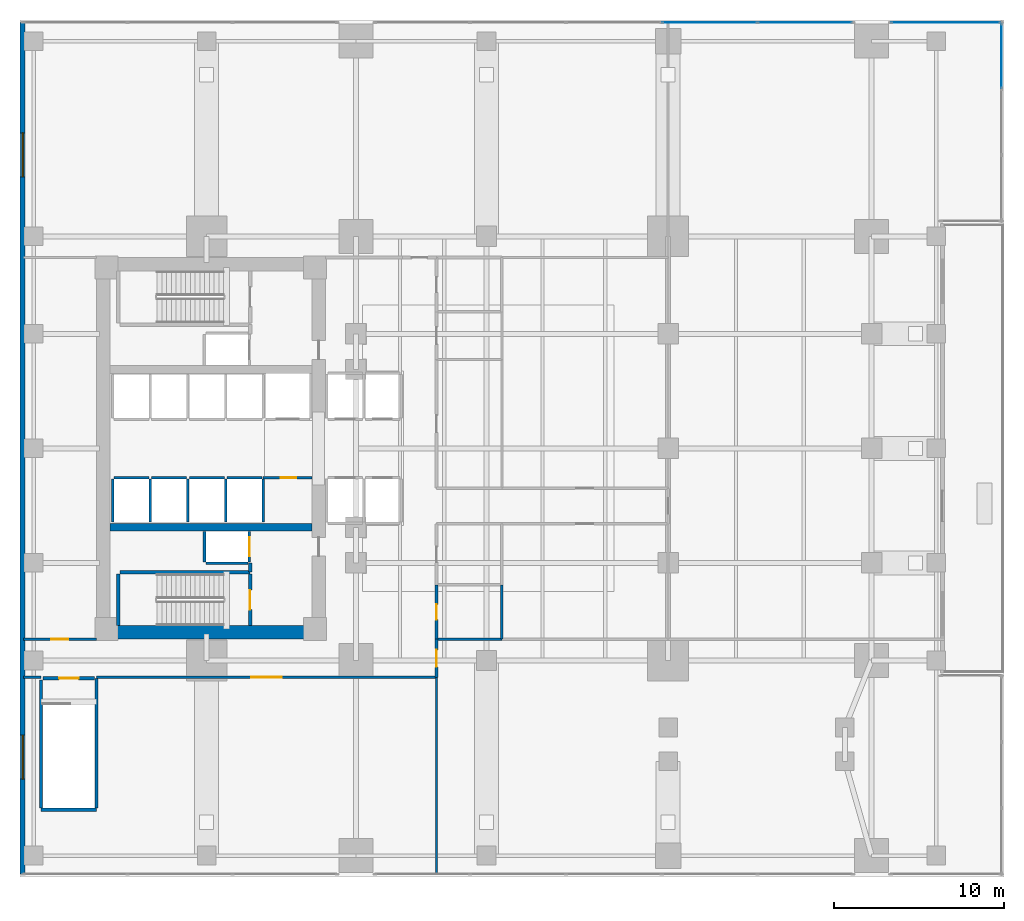
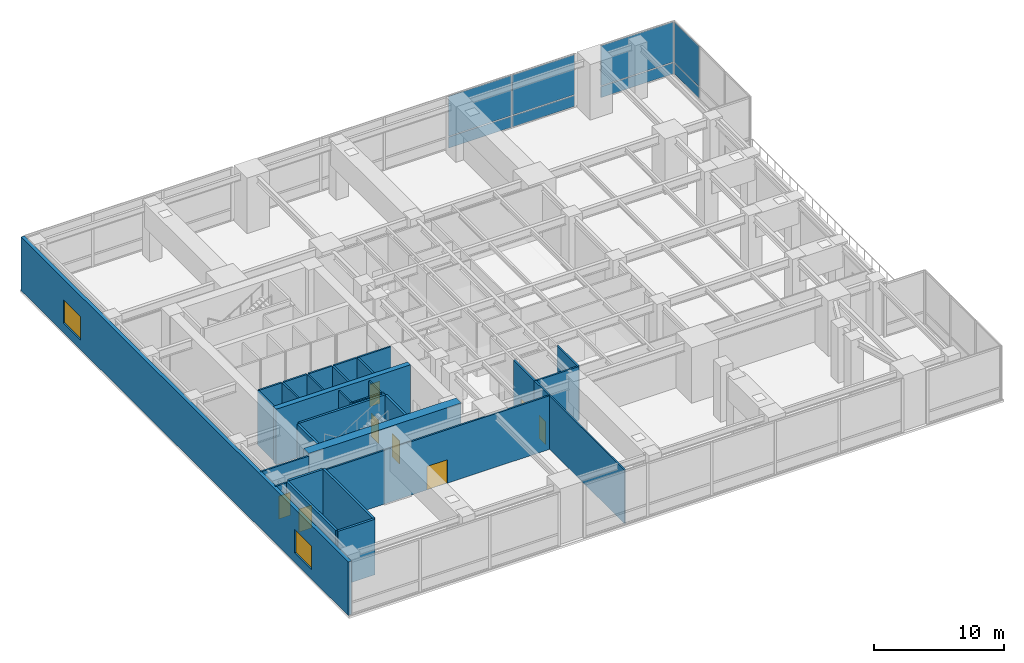
# One storey, part 8 of 14: 32 walls, 8 doors, 8 plates, 2 windows, 10 openings, 3 elements without a shape of their own.
"""IFC4 building model written with IfcOpenShell, lengths in metres."""

from ifc_helpers import new_model, si_unit, direction, frame, frame_2d, origin, origin_2d, place, context, subcontext, project, spatial, rectangle, extrude, material, layer, layer_set, type_object, element, fill, aggregate, save


model = new_model("IFC4")

# Units and contexts
model_context = context("Model", 3, precision=1e-05, world=origin(), true_north=direction((0.0, 1.0)))
body_context = subcontext(model_context, "Body", "Model", "MODEL_VIEW")
ifc_project = project(units=[si_unit("LENGTHUNIT", "METRE"), si_unit("AREAUNIT", "SQUARE_METRE"), si_unit("VOLUMEUNIT", "CUBIC_METRE"), si_unit("PLANEANGLEUNIT", "RADIAN"), si_unit("MASSUNIT", "GRAM", prefix="KILO")], contexts=[model_context])

# Site, building, storey
site_placement = place(None, origin())
site = spatial("IfcSite", under=ifc_project, at=site_placement, CompositionType="ELEMENT")
building_placement = place(site_placement, origin())
building = spatial("IfcBuilding", under=site, at=building_placement, Name="Kinhvarn Gate Tower", CompositionType="ELEMENT")
storey_placement = place(building_placement, frame((0.0, 0.0, 20.39990234375)))
storey = spatial("IfcBuildingStorey", under=building, at=storey_placement, Name="L04", CompositionType="ELEMENT", Elevation=20.39990234375)

# Curtain wall, plates
ifc_material_1 = material(Name="Anodised aluminium AW-6063", Category="aluminium")
ifc_layer_1 = layer(ifc_material_1, 0.219970703125)
ifc_layer_set_1 = layer_set([ifc_layer_1], Name="Anodised aluminium AW-6063")
curtain_wall_type = type_object("IfcCurtainWallType", Name="CW-SYS-1", PredefinedType="NOTDEFINED", material=ifc_layer_set_1)
curtain_wall_1_placement = place(storey_placement, origin())
curtain_wall_1 = element("IfcCurtainWall", 1, at=curtain_wall_1_placement, inside=storey, type_object=curtain_wall_type, Name="Curtain Wall CW1 (L04)", PredefinedType="NOTDEFINED")
ifc_material_2 = material(Name="Clear low-e double glazing", Category="glass")
ifc_layer_2 = layer(ifc_material_2, 0.031982421875)
ifc_layer_set_2 = layer_set([ifc_layer_2], Name="Clear low-e double glazing")
plate_type = type_object("IfcPlateType", Name="CW-PNL-VIS", PredefinedType="CURTAIN_PANEL", material=ifc_layer_set_2)
plate_1_placement = place(storey_placement, frame((57.85009765625, 48.3798828125, 0.080078125), z_axis=(0.0, 0.0, 1.0), x_axis=(0.0, 1.0, 0.0)))
plate_1 = element("IfcPlate", 2, at=plate_1_placement, type_object=plate_type, Name="CW1 panel 3.1", PredefinedType="CURTAIN_PANEL", context=body_context, shape_type="SweptSolid", body=[
    extrude(rectangle(XDim=3.780029296875, YDim=0.031982421875, at=origin_2d()), origin(), (0.0, 0.0, 1.0), 1.030029296875),
])
plate_2_placement = place(storey_placement, frame((57.85009765625, 48.3798828125, 1.190185546875), z_axis=(0.0, 0.0, 1.0), x_axis=(0.0, 1.0, 0.0)))
plate_2 = element("IfcPlate", 3, at=plate_2_placement, type_object=plate_type, Name="CW1 panel 3.2", PredefinedType="CURTAIN_PANEL", context=body_context, shape_type="SweptSolid", body=[
    extrude(rectangle(XDim=3.780029296875, YDim=0.031982421875, at=origin_2d()), origin(), (0.0, 0.0, 1.0), 3.75),
])
aggregate(curtain_wall_1, [plate_1, plate_2])

curtain_wall_2_placement = place(storey_placement, origin())
curtain_wall_2 = element("IfcCurtainWall", 4, at=curtain_wall_2_placement, inside=storey, type_object=curtain_wall_type, Name="Curtain Wall CW1 (L04)", PredefinedType="NOTDEFINED")
plate_3_placement = place(storey_placement, frame((54.56494140625, 50.35009765625, 0.080078125), z_axis=(0.0, 0.0, 1.0), x_axis=(-1.0, 0.0, 0.0)))
plate_3 = element("IfcPlate", 5, at=plate_3_placement, type_object=plate_type, Name="CW1 panel 1.1", PredefinedType="CURTAIN_PANEL", context=body_context, shape_type="SweptSolid", body=[
    extrude(rectangle(XDim=6.409912109375, YDim=0.031982421875, at=origin_2d()), origin(), (0.0, 0.0, 1.0), 1.030029296875),
])
plate_4_placement = place(storey_placement, frame((54.56494140625, 50.35009765625, 1.190185546875), z_axis=(0.0, 0.0, 1.0), x_axis=(-1.0, 0.0, 0.0)))
plate_4 = element("IfcPlate", 6, at=plate_4_placement, type_object=plate_type, Name="CW1 panel 1.2", PredefinedType="CURTAIN_PANEL", context=body_context, shape_type="SweptSolid", body=[
    extrude(rectangle(XDim=6.409912109375, YDim=0.031982421875, at=origin_2d()), origin(), (0.0, 0.0, 1.0), 3.75),
])
aggregate(curtain_wall_2, [plate_3, plate_4])

curtain_wall_3_placement = place(storey_placement, origin())
curtain_wall_3 = element("IfcCurtainWall", 7, at=curtain_wall_3_placement, inside=storey, type_object=curtain_wall_type, Name="Curtain Wall CW1 (L04)", PredefinedType="NOTDEFINED")
plate_5_placement = place(storey_placement, frame((46.27587890625, 50.35009765625, 0.080078125), z_axis=(0.0, 0.0, 1.0), x_axis=(-1.0, 0.0, 0.0)))
plate_5 = element("IfcPlate", 8, at=plate_5_placement, type_object=plate_type, Name="CW1 panel 1.1", PredefinedType="CURTAIN_PANEL", context=body_context, shape_type="SweptSolid", body=[
    extrude(rectangle(XDim=5.528076171875, YDim=0.031982421875, at=origin_2d()), origin(), (0.0, 0.0, 1.0), 1.030029296875),
])
plate_6_placement = place(storey_placement, frame((46.27587890625, 50.35009765625, 1.190185546875), z_axis=(0.0, 0.0, 1.0), x_axis=(-1.0, 0.0, 0.0)))
plate_6 = element("IfcPlate", 9, at=plate_6_placement, type_object=plate_type, Name="CW1 panel 1.2", PredefinedType="CURTAIN_PANEL", context=body_context, shape_type="SweptSolid", body=[
    extrude(rectangle(XDim=5.528076171875, YDim=0.031982421875, at=origin_2d()), origin(), (0.0, 0.0, 1.0), 3.75),
])
plate_7_placement = place(storey_placement, frame((40.64794921875, 50.35009765625, 0.080078125), z_axis=(0.0, 0.0, 1.0), x_axis=(-1.0, 0.0, 0.0)))
plate_7 = element("IfcPlate", 10, at=plate_7_placement, type_object=plate_type, Name="CW1 panel 2.1", PredefinedType="CURTAIN_PANEL", context=body_context, shape_type="SweptSolid", body=[
    extrude(rectangle(XDim=5.568115234375, YDim=0.031982421875, at=origin_2d()), origin(), (0.0, 0.0, 1.0), 1.030029296875),
])
plate_8_placement = place(storey_placement, frame((40.64794921875, 50.35009765625, 1.190185546875), z_axis=(0.0, 0.0, 1.0), x_axis=(-1.0, 0.0, 0.0)))
plate_8 = element("IfcPlate", 11, at=plate_8_placement, type_object=plate_type, Name="CW1 panel 2.2", PredefinedType="CURTAIN_PANEL", context=body_context, shape_type="SweptSolid", body=[
    extrude(rectangle(XDim=5.568115234375, YDim=0.031982421875, at=origin_2d()), origin(), (0.0, 0.0, 1.0), 3.75),
])
aggregate(curtain_wall_3, [plate_5, plate_6, plate_7, plate_8])

# Walls
ifc_material_3 = material(Name="Concrete C50/60", Category="concrete")
ifc_layer_3 = layer(ifc_material_3, 0.449951171875)
ifc_layer_set_3 = layer_set([ifc_layer_3], Name="Concrete C50/60")
wall_type_1 = type_object("IfcWallType", Name="WL-CORE-450", PredefinedType="SHEAR", material=ifc_layer_set_3)
wall_1_placement = place(storey_placement, frame((5.300048828125, 20.60009765625, 0.0), z_axis=(0.0, 0.0, 1.0), x_axis=(1.0, 0.0, 0.0)))
element("IfcWall", 12, at=wall_1_placement, inside=storey, type_object=wall_type_1, Name="Core South Spine Shear Wall L04 450 mm", PredefinedType="SHEAR", context=body_context, shape_type="SweptSolid", body=[
    extrude(rectangle(XDim=11.89990234375, YDim=0.449951171875, at=frame_2d((5.949951171875, 0.0))), origin(), (0.0, 0.0, 1.0), 5.2001953125),
])
ifc_material_4 = material(Name="Concrete C70/85", Category="concrete")
ifc_layer_4 = layer(ifc_material_4, 0.800048828125)
ifc_layer_set_4 = layer_set([ifc_layer_4], Name="Concrete C70/85")
wall_type_2 = type_object("IfcWallType", Name="WL-CORE-800", PredefinedType="SHEAR", material=ifc_layer_set_4)
wall_2_placement = place(storey_placement, frame((4.5, 14.39990234375, 0.0), z_axis=(0.0, 0.0, 1.0), x_axis=(1.0, 0.0, 0.0)))
element("IfcWall", 13, at=wall_2_placement, inside=storey, type_object=wall_type_2, Name="Core South Shear Wall L04 800 mm", PredefinedType="SHEAR", context=body_context, shape_type="SweptSolid", body=[
    extrude(rectangle(XDim=13.5, YDim=0.800048828125, at=frame_2d((6.75, 0.0))), origin(), (0.0, 0.0, 1.0), 5.2001953125),
])

# Wall, openings, windows
ifc_material_5 = material(Name="Precast white architectural concrete C40/50", Category="concrete")
ifc_layer_5 = layer(ifc_material_5, 0.300048828125)
ifc_layer_set_5 = layer_set([ifc_layer_5], Name="Precast white architectural concrete C40/50")
wall_type_3 = type_object("IfcWallType", Name="WL-EXT-300", PredefinedType="SOLIDWALL", material=ifc_layer_set_5)
wall_3_placement = place(storey_placement, frame((0.14990234375, 50.35009765625, 0.0), z_axis=(0.0, 0.0, 1.0), x_axis=(0.0, -1.0, 0.0)))
wall_3 = element("IfcWall", 14, at=wall_3_placement, inside=storey, type_object=wall_type_3, Name="Exterior Solidwall Wall EW-300 (L04 West)", PredefinedType="SOLIDWALL", context=body_context, shape_type="SweptSolid", body=[
    extrude(rectangle(XDim=50.2001953125, YDim=0.300048828125, at=frame_2d((25.10009765625, 0.0))), origin(), (0.0, 0.0, 1.0), 5.02001953125),
])
opening_1_placement = place(wall_3_placement, frame((6.5, 0.0, 0.89990234375)))
opening_1 = element("IfcOpeningElement", 15, at=opening_1_placement, cuts=wall_3, Name="Opening WN-03", PredefinedType="OPENING", context=body_context, shape_type="SweptSolid", body=[
    extrude(rectangle(XDim=2.60009765625, YDim=2.199951171875, at=frame_2d((1.300048828125, 1.10009765625))), frame((0.0, 0.16015625, 0.0), z_axis=(0.0, -1.0, 0.0), x_axis=(1.0, 0.0, 0.0)), (0.0, 0.0, 1.0), 0.320068359375),
])
opening_2_placement = place(wall_3_placement, frame((42.0, 0.0, 0.89990234375)))
opening_2 = element("IfcOpeningElement", 16, at=opening_2_placement, cuts=wall_3, Name="Opening WN-03", PredefinedType="OPENING", context=body_context, shape_type="SweptSolid", body=[
    extrude(rectangle(XDim=2.60009765625, YDim=2.199951171875, at=frame_2d((1.300048828125, 1.10009765625))), frame((0.0, 0.16015625, 0.0), z_axis=(0.0, -1.0, 0.0), x_axis=(1.0, 0.0, 0.0)), (0.0, 0.0, 1.0), 0.320068359375),
])
window_type = type_object("IfcWindowType", Name="WIN-POD-2600", PartitioningType="SINGLE_PANEL", PredefinedType="WINDOW", material=ifc_material_2)
window_1_placement = place(opening_1_placement, origin())
window_1 = element("IfcWindow", 17, at=window_1_placement, inside=storey, type_object=window_type, Name="Podium Gallery Punched Window 2600x2200 mm (L04)", OverallHeight=2.199951171875, OverallWidth=2.60009765625, PartitioningType="SINGLE_PANEL", PredefinedType="WINDOW", context=body_context, shape_type="SweptSolid", body=[
    extrude(rectangle(XDim=2.60009765625, YDim=2.199951171875, at=frame_2d((1.300048828125, 1.10009765625))), frame((0.0, 0.030029296875, 0.0), z_axis=(0.0, -1.0, 0.0), x_axis=(1.0, 0.0, 0.0)), (0.0, 0.0, 1.0), 0.06005859375),
])
fill(opening_1, window_1)
window_2_placement = place(opening_2_placement, origin())
window_2 = element("IfcWindow", 18, at=window_2_placement, inside=storey, type_object=window_type, Name="Podium Gallery Punched Window 2600x2200 mm (L04)", OverallHeight=2.199951171875, OverallWidth=2.60009765625, PartitioningType="SINGLE_PANEL", PredefinedType="WINDOW", context=body_context, shape_type="SweptSolid", body=[
    extrude(rectangle(XDim=2.60009765625, YDim=2.199951171875, at=frame_2d((1.300048828125, 1.10009765625))), frame((0.0, 0.030029296875, 0.0), z_axis=(0.0, -1.0, 0.0), x_axis=(1.0, 0.0, 0.0)), (0.0, 0.0, 1.0), 0.06005859375),
])
fill(opening_2, window_2)

# Walls
ifc_material_6 = material(Name="Gypsum acoustic partition board")
ifc_layer_6 = layer(ifc_material_6, 0.14990234375)
ifc_layer_set_6 = layer_set([ifc_layer_6], Name="Gypsum acoustic partition board")
wall_type_4 = type_object("IfcWallType", Name="WL-PLM-150", PredefinedType="PLUMBINGWALL", material=ifc_layer_set_6)
wall_4_placement = place(storey_placement, frame((28.39990234375, 14.0, 0.0), z_axis=(0.0, 0.0, 1.0), x_axis=(0.0, 1.0, 0.0)))
element("IfcWall", 19, at=wall_4_placement, inside=storey, type_object=wall_type_4, Name="Interior Partition PLW-150 (L04)", PredefinedType="PLUMBINGWALL", context=body_context, shape_type="SweptSolid", body=[
    extrude(rectangle(XDim=3.199951171875, YDim=0.14990234375, at=frame_2d((1.60009765625, 0.0))), origin(), (0.0, 0.0, 1.0), 5.02001953125),
])
wall_5_placement = place(storey_placement, frame((24.550048828125, 14.0, 0.0), z_axis=(0.0, 0.0, 1.0), x_axis=(1.0, 0.0, 0.0)))
element("IfcWall", 20, at=wall_5_placement, inside=storey, type_object=wall_type_4, Name="Interior Partition PLW-150 (L04)", PredefinedType="PLUMBINGWALL", context=body_context, shape_type="SweptSolid", body=[
    extrude(rectangle(XDim=3.849853515625, YDim=0.14990234375, at=frame_2d((1.9248046875, 0.0))), origin(), (0.0, 0.0, 1.0), 5.02001953125),
])

# Wall, opening, door
ifc_layer_7 = layer(ifc_material_6, 0.14990234375)
ifc_layer_set_7 = layer_set([ifc_layer_7], Name="Gypsum acoustic partition board")
wall_type_5 = type_object("IfcWallType", Name="WL-PLM-150F", PredefinedType="PLUMBINGWALL", material=ifc_layer_set_7)
wall_6_placement = place(storey_placement, frame((24.550048828125, 14.0, 0.0), z_axis=(0.0, 0.0, 1.0), x_axis=(0.0, 1.0, 0.0)))
wall_6 = element("IfcWall", 21, at=wall_6_placement, inside=storey, type_object=wall_type_5, Name="Interior Partition PLW-150F (L04)", PredefinedType="PLUMBINGWALL", context=body_context, shape_type="SweptSolid", body=[
    extrude(rectangle(XDim=3.199951171875, YDim=0.14990234375, at=frame_2d((1.60009765625, 0.0))), origin(), (0.0, 0.0, 1.0), 5.02001953125),
])
opening_3_placement = place(wall_6_placement, frame((1.14990234375, 0.0, 0.0)))
opening_3 = element("IfcOpeningElement", 22, at=opening_3_placement, cuts=wall_6, Name="Opening FD-04", PredefinedType="OPENING", context=body_context, shape_type="SweptSolid", body=[
    extrude(rectangle(XDim=0.89990234375, YDim=2.10009765625, at=frame_2d((0.449951171875, 1.050048828125))), frame((0.0, 0.0849609375, 0.0), z_axis=(0.0, -1.0, 0.0), x_axis=(1.0, 0.0, 0.0)), (0.0, 0.0, 1.0), 0.169921875),
])
door_type_1 = type_object("IfcDoorType", Name="DR-FD-900", OperationType="NOTDEFINED", PredefinedType="DOOR", material=ifc_material_1)
door_1_placement = place(opening_3_placement, origin())
door_1 = element("IfcDoor", 23, at=door_1_placement, inside=storey, type_object=door_type_1, Name="Rated Riser & Service Closet Fire Door 900x2100 mm (L04)", OperationType="SINGLE_SWING_LEFT", OverallHeight=2.10009765625, OverallWidth=0.89990234375, PredefinedType="DOOR", context=body_context, shape_type="SweptSolid", body=[
    extrude(rectangle(XDim=0.89990234375, YDim=2.10009765625, at=frame_2d((0.449951171875, 1.050048828125))), frame((0.0, 0.02490234375, 0.0), z_axis=(0.0, -1.0, 0.0), x_axis=(1.0, 0.0, 0.0)), (0.0, 0.0, 1.0), 0.050048828125),
])
fill(opening_3, door_1)

# Wall
ifc_layer_8 = layer(ifc_material_6, 0.1201171875)
ifc_layer_set_8 = layer_set([ifc_layer_8], Name="Gypsum acoustic partition board")
wall_type_6 = type_object("IfcWallType", Name="WL-PRT-120", PredefinedType="PARTITIONING", material=ifc_layer_set_8)
wall_7_placement = place(storey_placement, frame((24.550048828125, 0.199951171875, 0.0), z_axis=(0.0, 0.0, 1.0), x_axis=(0.0, 1.0, 0.0)))
element("IfcWall", 24, at=wall_7_placement, inside=storey, type_object=wall_type_6, Name="Interior Partition PW-120 (L04)", PredefinedType="PARTITIONING", context=body_context, shape_type="SweptSolid", body=[
    extrude(rectangle(XDim=11.550048828125, YDim=0.1201171875, at=frame_2d((5.77490234375, 0.0))), origin(), (0.0, 0.0, 1.0), 5.02001953125),
])

# Wall, opening, door
ifc_layer_9 = layer(ifc_material_6, 0.14990234375)
ifc_layer_set_9 = layer_set([ifc_layer_9], Name="Gypsum acoustic partition board")
wall_type_7 = type_object("IfcWallType", Name="WL-PRT-150F", PredefinedType="PARTITIONING", material=ifc_layer_set_9)
wall_8_placement = place(storey_placement, frame((14.330078125, 23.52001953125, 0.0), z_axis=(0.0, 0.0, 1.0), x_axis=(1.0, 0.0, 0.0)))
wall_8 = element("IfcWall", 25, at=wall_8_placement, inside=storey, type_object=wall_type_7, Name="Interior Partition PW-150F (L04)", PredefinedType="PARTITIONING", context=body_context, shape_type="SweptSolid", body=[
    extrude(rectangle(XDim=2.889892578125, YDim=0.14990234375, at=frame_2d((1.44482421875, 0.0))), origin(), (0.0, 0.0, 1.0), 5.02001953125),
])
opening_4_placement = place(wall_8_placement, frame((1.052734375, 0.0, 0.0)))
opening_4 = element("IfcOpeningElement", 26, at=opening_4_placement, cuts=wall_8, Name="Opening FD-04", PredefinedType="OPENING", context=body_context, shape_type="SweptSolid", body=[
    extrude(rectangle(XDim=0.89990234375, YDim=2.10009765625, at=frame_2d((0.449951171875, 1.050048828125))), frame((0.0, 0.0849609375, 0.0), z_axis=(0.0, -1.0, 0.0), x_axis=(1.0, 0.0, 0.0)), (0.0, 0.0, 1.0), 0.169921875),
])
door_2_placement = place(opening_4_placement, origin())
door_2 = element("IfcDoor", 27, at=door_2_placement, inside=storey, type_object=door_type_1, Name="Rated Riser & Service Closet Fire Door 900x2100 mm (L04)", OperationType="SINGLE_SWING_LEFT", OverallHeight=2.10009765625, OverallWidth=0.89990234375, PredefinedType="DOOR", context=body_context, shape_type="SweptSolid", body=[
    extrude(rectangle(XDim=0.89990234375, YDim=2.10009765625, at=frame_2d((0.449951171875, 1.050048828125))), frame((0.0, 0.02490234375, 0.0), z_axis=(0.0, -1.0, 0.0), x_axis=(1.0, 0.0, 0.0)), (0.0, 0.0, 1.0), 0.050048828125),
])
fill(opening_4, door_2)

# Wall
wall_9_placement = place(storey_placement, frame((0.199951171875, 11.75, 0.0), z_axis=(0.0, 0.0, 1.0), x_axis=(1.0, 0.0, 0.0)))
element("IfcWall", 28, at=wall_9_placement, inside=storey, type_object=wall_type_7, Name="Interior Partition PW-150F (L04)", PredefinedType="PARTITIONING", context=body_context, shape_type="SweptSolid", body=[
    extrude(rectangle(XDim=1.0400390625, YDim=0.14990234375, at=frame_2d((0.52001953125, 0.0))), origin(), (0.0, 0.0, 1.0), 5.02001953125),
])

# Wall, opening, door
wall_10_placement = place(storey_placement, frame((4.52001953125, 11.75, 0.0), z_axis=(0.0, 0.0, 1.0), x_axis=(1.0, 0.0, 0.0)))
wall_10 = element("IfcWall", 29, at=wall_10_placement, inside=storey, type_object=wall_type_7, Name="Interior Partition PW-150F (L04)", PredefinedType="PARTITIONING", context=body_context, shape_type="SweptSolid", body=[
    extrude(rectangle(XDim=20.030029296875, YDim=0.14990234375, at=frame_2d((10.01513671875, 0.0))), origin(), (0.0, 0.0, 1.0), 5.02001953125),
])
opening_5_placement = place(wall_10_placement, frame((9.114990234375, 0.0, 0.0)))
opening_5 = element("IfcOpeningElement", 30, at=opening_5_placement, cuts=wall_10, Name="Opening ID-04", PredefinedType="OPENING", context=body_context, shape_type="SweptSolid", body=[
    extrude(rectangle(XDim=1.800048828125, YDim=2.199951171875, at=frame_2d((0.89990234375, 1.10009765625))), frame((0.0, 0.0849609375, 0.0), z_axis=(0.0, -1.0, 0.0), x_axis=(1.0, 0.0, 0.0)), (0.0, 0.0, 1.0), 0.169921875),
])
door_type_2 = type_object("IfcDoorType", Name="DR-GLZ-1800", OperationType="NOTDEFINED", PredefinedType="DOOR", material=ifc_material_2)
door_3_placement = place(opening_5_placement, origin())
door_3 = element("IfcDoor", 31, at=door_3_placement, inside=storey, type_object=door_type_2, Name="Double Glazed Forum & Sky-Lobby Door 1800x2200 mm (L04)", OperationType="DOUBLE_DOOR_SINGLE_SWING", OverallHeight=2.199951171875, OverallWidth=1.800048828125, PredefinedType="DOOR", context=body_context, shape_type="SweptSolid", body=[
    extrude(rectangle(XDim=1.800048828125, YDim=2.199951171875, at=frame_2d((0.89990234375, 1.10009765625))), frame((0.0, 0.02490234375, 0.0), z_axis=(0.0, -1.0, 0.0), x_axis=(1.0, 0.0, 0.0)), (0.0, 0.0, 1.0), 0.050048828125),
])
fill(opening_5, door_3)

wall_11_placement = place(storey_placement, frame((0.199951171875, 14.0, 0.0), z_axis=(0.0, 0.0, 1.0), x_axis=(1.0, 0.0, 0.0)))
wall_11 = element("IfcWall", 32, at=wall_11_placement, inside=storey, type_object=wall_type_7, Name="Interior Partition PW-150F (L04)", PredefinedType="PARTITIONING", context=body_context, shape_type="SweptSolid", body=[
    extrude(rectangle(XDim=4.300048828125, YDim=0.14990234375, at=frame_2d((2.14990234375, 0.0))), origin(), (0.0, 0.0, 1.0), 5.02001953125),
])
opening_6_placement = place(wall_11_placement, frame((1.64990234375, 0.0, 0.0)))
opening_6 = element("IfcOpeningElement", 33, at=opening_6_placement, cuts=wall_11, Name="Opening ID-02", PredefinedType="OPENING", context=body_context, shape_type="SweptSolid", body=[
    extrude(rectangle(XDim=1.0, YDim=2.14990234375, at=frame_2d((0.5, 1.074951171875))), frame((0.0, 0.0849609375, 0.0), z_axis=(0.0, -1.0, 0.0), x_axis=(1.0, 0.0, 0.0)), (0.0, 0.0, 1.0), 0.169921875),
])
door_type_3 = type_object("IfcDoorType", Name="DR-INT-1000", OperationType="NOTDEFINED", PredefinedType="DOOR", material=ifc_material_1)
door_4_placement = place(opening_6_placement, origin())
door_4 = element("IfcDoor", 34, at=door_4_placement, inside=storey, type_object=door_type_3, Name="Standard Office & Meeting Room Door 1000x2150 mm (L04)", OperationType="SINGLE_SWING_LEFT", OverallHeight=2.14990234375, OverallWidth=1.0, PredefinedType="DOOR", context=body_context, shape_type="SweptSolid", body=[
    extrude(rectangle(XDim=1.0, YDim=2.14990234375, at=frame_2d((0.5, 1.074951171875))), frame((0.0, 0.02490234375, 0.0), z_axis=(0.0, -1.0, 0.0), x_axis=(1.0, 0.0, 0.0)), (0.0, 0.0, 1.0), 0.050048828125),
])
fill(opening_6, door_4)

wall_12_placement = place(storey_placement, frame((24.550048828125, 11.75, 0.0), z_axis=(0.0, 0.0, 1.0), x_axis=(0.0, 1.0, 0.0)))
wall_12 = element("IfcWall", 35, at=wall_12_placement, inside=storey, type_object=wall_type_7, Name="Interior Partition PW-150F (L04)", PredefinedType="PARTITIONING", context=body_context, shape_type="SweptSolid", body=[
    extrude(rectangle(XDim=2.25, YDim=0.14990234375, at=frame_2d((1.125, 0.0))), origin(), (0.0, 0.0, 1.0), 5.02001953125),
])
opening_7_placement = place(wall_12_placement, frame((0.625, 0.0, 0.0)))
opening_7 = element("IfcOpeningElement", 36, at=opening_7_placement, cuts=wall_12, Name="Opening ID-02", PredefinedType="OPENING", context=body_context, shape_type="SweptSolid", body=[
    extrude(rectangle(XDim=1.0, YDim=2.14990234375, at=frame_2d((0.5, 1.074951171875))), frame((0.0, 0.0849609375, 0.0), z_axis=(0.0, -1.0, 0.0), x_axis=(1.0, 0.0, 0.0)), (0.0, 0.0, 1.0), 0.169921875),
])
door_5_placement = place(opening_7_placement, origin())
door_5 = element("IfcDoor", 37, at=door_5_placement, inside=storey, type_object=door_type_3, Name="Standard Office & Meeting Room Door 1000x2150 mm (L04)", OperationType="SINGLE_SWING_RIGHT", OverallHeight=2.14990234375, OverallWidth=1.0, PredefinedType="DOOR", context=body_context, shape_type="SweptSolid", body=[
    extrude(rectangle(XDim=1.0, YDim=2.14990234375, at=frame_2d((0.5, 1.074951171875))), frame((0.0, 0.02490234375, 0.0), z_axis=(0.0, -1.0, 0.0), x_axis=(1.0, 0.0, 0.0)), (0.0, 0.0, 1.0), 0.050048828125),
])
fill(opening_7, door_5)

# Walls
ifc_layer_10 = layer(ifc_material_6, 0.199951171875)
ifc_layer_set_10 = layer_set([ifc_layer_10], Name="Gypsum acoustic partition board")
wall_type_8 = type_object("IfcWallType", Name="WL-PRT-200", PredefinedType="PARTITIONING", material=ifc_layer_set_10)
wall_13_placement = place(storey_placement, frame((13.580078125, 17.9599609375, 0.0), z_axis=(0.0, 0.0, 1.0), x_axis=(0.0, 1.0, 0.0)))
element("IfcWall", 38, at=wall_13_placement, inside=storey, type_object=wall_type_8, Name="Interior Partition PW-200 (L04)", PredefinedType="PARTITIONING", context=body_context, shape_type="SweptSolid", body=[
    extrude(rectangle(XDim=0.5400390625, YDim=0.199951171875, at=frame_2d((0.27001953125, 0.0))), origin(), (0.0, 0.0, 1.0), 5.02001953125),
])
ifc_layer_11 = layer(ifc_material_6, 0.14990234375)
ifc_layer_set_11 = layer_set([ifc_layer_11], Name="Gypsum acoustic partition board")
wall_type_9 = type_object("IfcWallType", Name="WL-SHF-150", PredefinedType="PARTITIONING", material=ifc_layer_set_11)
wall_14_placement = place(storey_placement, frame((5.550048828125, 23.52490234375, 0.0), z_axis=(0.0, 0.0, 1.0), x_axis=(1.0, 0.0, 0.0)))
element("IfcWall", 39, at=wall_14_placement, inside=storey, type_object=wall_type_9, Name="Elevator PM-05 Landing Wall (L04)", PredefinedType="PARTITIONING", context=body_context, shape_type="SweptSolid", body=[
    extrude(rectangle(XDim=2.050048828125, YDim=0.14990234375, at=frame_2d((1.02490234375, 0.0))), origin(), (0.0, 0.0, 1.0), 5.02001953125),
])
for number, where, z_axis, x_axis, name in (
    (40, (5.47509765625, 20.89990234375, 0.0), (0.0, 0.0, 1.0), (0.0, 1.0, 0.0), "Elevator PM-05 Hoistway Wall W (L04)"),
    (41, (7.675048828125, 20.89990234375, 0.0), (0.0, 0.0, 1.0), (0.0, 1.0, 0.0), "Elevator PM-05 Hoistway Wall E (L04)"),
):
    element("IfcWall", number, at=place(storey_placement, frame(where, z_axis=z_axis, x_axis=x_axis)), inside=storey, type_object=wall_type_9, Name=name, PredefinedType="PARTITIONING", context=body_context, shape_type="SweptSolid", body=[
        extrude(rectangle(XDim=2.550048828125, YDim=0.14990234375, at=frame_2d((1.27490234375, 0.0))), origin(), (0.0, 0.0, 1.0), 5.02001953125),
    ])
wall_15_placement = place(storey_placement, frame((7.75, 23.52490234375, 0.0), z_axis=(0.0, 0.0, 1.0), x_axis=(1.0, 0.0, 0.0)))
element("IfcWall", 42, at=wall_15_placement, inside=storey, type_object=wall_type_9, Name="Elevator PM-06 Landing Wall (L04)", PredefinedType="PARTITIONING", context=body_context, shape_type="SweptSolid", body=[
    extrude(rectangle(XDim=2.050048828125, YDim=0.14990234375, at=frame_2d((1.02490234375, 0.0))), origin(), (0.0, 0.0, 1.0), 5.02001953125),
])
wall_16_placement = place(storey_placement, frame((9.875, 20.89990234375, 0.0), z_axis=(0.0, 0.0, 1.0), x_axis=(0.0, 1.0, 0.0)))
element("IfcWall", 43, at=wall_16_placement, inside=storey, type_object=wall_type_9, Name="Elevator PM-06 Hoistway Wall E (L04)", PredefinedType="PARTITIONING", context=body_context, shape_type="SweptSolid", body=[
    extrude(rectangle(XDim=2.550048828125, YDim=0.14990234375, at=frame_2d((1.27490234375, 0.0))), origin(), (0.0, 0.0, 1.0), 5.02001953125),
])
wall_17_placement = place(storey_placement, frame((10.0, 23.52490234375, 0.0), z_axis=(0.0, 0.0, 1.0), x_axis=(1.0, 0.0, 0.0)))
element("IfcWall", 44, at=wall_17_placement, inside=storey, type_object=wall_type_9, Name="Elevator PH-09 Landing Wall (L04)", PredefinedType="PARTITIONING", context=body_context, shape_type="SweptSolid", body=[
    extrude(rectangle(XDim=2.050048828125, YDim=0.14990234375, at=frame_2d((1.02490234375, 0.0))), origin(), (0.0, 0.0, 1.0), 5.02001953125),
])
wall_18_placement = place(storey_placement, frame((12.125, 20.89990234375, 0.0), z_axis=(0.0, 0.0, 1.0), x_axis=(0.0, 1.0, 0.0)))
element("IfcWall", 45, at=wall_18_placement, inside=storey, type_object=wall_type_9, Name="Elevator PH-09 Hoistway Wall E (L04)", PredefinedType="PARTITIONING", context=body_context, shape_type="SweptSolid", body=[
    extrude(rectangle(XDim=2.550048828125, YDim=0.14990234375, at=frame_2d((1.27490234375, 0.0))), origin(), (0.0, 0.0, 1.0), 5.02001953125),
])
wall_19_placement = place(storey_placement, frame((12.199951171875, 23.52490234375, 0.0), z_axis=(0.0, 0.0, 1.0), x_axis=(1.0, 0.0, 0.0)))
element("IfcWall", 46, at=wall_19_placement, inside=storey, type_object=wall_type_9, Name="Elevator PH-10 Landing Wall (L04)", PredefinedType="PARTITIONING", context=body_context, shape_type="SweptSolid", body=[
    extrude(rectangle(XDim=2.050048828125, YDim=0.14990234375, at=frame_2d((1.02490234375, 0.0))), origin(), (0.0, 0.0, 1.0), 5.02001953125),
])
wall_20_placement = place(storey_placement, frame((14.324951171875, 20.89990234375, 0.0), z_axis=(0.0, 0.0, 1.0), x_axis=(0.0, 1.0, 0.0)))
element("IfcWall", 47, at=wall_20_placement, inside=storey, type_object=wall_type_9, Name="Elevator PH-10 Hoistway Wall E (L04)", PredefinedType="PARTITIONING", context=body_context, shape_type="SweptSolid", body=[
    extrude(rectangle(XDim=2.550048828125, YDim=0.14990234375, at=frame_2d((1.27490234375, 0.0))), origin(), (0.0, 0.0, 1.0), 5.02001953125),
])
wall_21_placement = place(storey_placement, frame((10.949951171875, 18.47509765625, 0.0), z_axis=(0.0, 0.0, 1.0), x_axis=(1.0, 0.0, 0.0)))
element("IfcWall", 48, at=wall_21_placement, inside=storey, type_object=wall_type_9, Name="Elevator FF1 Hoistway Wall S (L04)", PredefinedType="PARTITIONING", context=body_context, shape_type="SweptSolid", body=[
    extrude(rectangle(XDim=2.5, YDim=0.14990234375, at=frame_2d((1.25, 0.0))), origin(), (0.0, 0.0, 1.0), 5.02001953125),
])
wall_22_placement = place(storey_placement, frame((10.875, 18.550048828125, 0.0), z_axis=(0.0, 0.0, 1.0), x_axis=(0.0, 1.0, 0.0)))
element("IfcWall", 49, at=wall_22_placement, inside=storey, type_object=wall_type_9, Name="Elevator FF1 Hoistway Wall W (L04)", PredefinedType="PARTITIONING", context=body_context, shape_type="SweptSolid", body=[
    extrude(rectangle(XDim=1.800048828125, YDim=0.14990234375, at=frame_2d((0.89990234375, 0.0))), origin(), (0.0, 0.0, 1.0), 5.02001953125),
])

# Wall, opening, door
wall_23_placement = place(storey_placement, frame((13.52490234375, 18.550048828125, 0.0), z_axis=(0.0, 0.0, 1.0), x_axis=(0.0, 1.0, 0.0)))
wall_23 = element("IfcWall", 50, at=wall_23_placement, inside=storey, type_object=wall_type_9, Name="Elevator FF1 Landing Wall (L04)", PredefinedType="PARTITIONING", context=body_context, shape_type="SweptSolid", body=[
    extrude(rectangle(XDim=1.800048828125, YDim=0.14990234375, at=frame_2d((0.89990234375, 0.0))), origin(), (0.0, 0.0, 1.0), 5.02001953125),
])
opening_8_placement = place(wall_23_placement, frame((0.35009765625, 0.0, 0.0)))
opening_8 = element("IfcOpeningElement", 51, at=opening_8_placement, cuts=wall_23, Name="Opening LD-03", PredefinedType="OPENING", context=body_context, shape_type="SweptSolid", body=[
    extrude(rectangle(XDim=1.10009765625, YDim=2.199951171875, at=frame_2d((0.550048828125, 1.10009765625))), frame((0.0, 0.0849609375, 0.0), z_axis=(0.0, -1.0, 0.0), x_axis=(1.0, 0.0, 0.0)), (0.0, 0.0, 1.0), 0.169921875),
])
door_type_4 = type_object("IfcDoorType", Name="DR-LND-FF", OperationType="NOTDEFINED", PredefinedType="DOOR", material=ifc_material_1)
door_6_placement = place(opening_8_placement, origin())
door_6 = element("IfcDoor", 52, at=door_6_placement, inside=storey, type_object=door_type_4, Name="Elevator FF1 Sliding Landing Door (L04)", OperationType="DOUBLE_DOOR_SLIDING", OverallHeight=2.199951171875, OverallWidth=1.10009765625, PredefinedType="DOOR", context=body_context, shape_type="SweptSolid", body=[
    extrude(rectangle(XDim=1.10009765625, YDim=2.199951171875, at=frame_2d((0.550048828125, 1.10009765625))), frame((0.0, 0.02490234375, 0.0), z_axis=(0.0, -1.0, 0.0), x_axis=(1.0, 0.0, 0.0)), (0.0, 0.0, 1.0), 0.050048828125),
])
fill(opening_8, door_6)

# Walls
ifc_material_7 = material(Name="Concrete C40/50", Category="concrete")
ifc_layer_12 = layer(ifc_material_7, 0.199951171875)
ifc_layer_set_12 = layer_set([ifc_layer_12], Name="Concrete C40/50")
wall_type_10 = type_object("IfcWallType", Name="WL-SHF-200", PredefinedType="SOLIDWALL", material=ifc_layer_set_12)
wall_24_placement = place(storey_placement, frame((5.7900390625, 14.800048828125, 0.0), z_axis=(0.0, 0.0, 1.0), x_axis=(0.0, 1.0, 0.0)))
element("IfcWall", 53, at=wall_24_placement, inside=storey, type_object=wall_type_10, Name="Stair ST1 West Shaft Wall (L04)", PredefinedType="SOLIDWALL", context=body_context, shape_type="SweptSolid", body=[
    extrude(rectangle(XDim=3.050048828125, YDim=0.199951171875, at=frame_2d((1.52490234375, 0.0))), origin(), (0.0, 0.0, 1.0), 5.2001953125),
])
wall_25_placement = place(storey_placement, frame((5.89990234375, 17.9599609375, 0.0), z_axis=(0.0, 0.0, 1.0), x_axis=(1.0, 0.0, 0.0)))
element("IfcWall", 54, at=wall_25_placement, inside=storey, type_object=wall_type_10, Name="Stair ST1 North Shaft Wall (L04)", PredefinedType="SOLIDWALL", context=body_context, shape_type="SweptSolid", body=[
    extrude(rectangle(XDim=7.66015625, YDim=0.199951171875, at=frame_2d((3.830078125, 0.0))), origin(), (0.0, 0.0, 1.0), 5.2001953125),
])

# Wall, opening, door
wall_26_placement = place(storey_placement, frame((13.56005859375, 14.800048828125, 0.0), z_axis=(0.0, 0.0, 1.0), x_axis=(0.0, 1.0, 0.0)))
wall_26 = element("IfcWall", 55, at=wall_26_placement, inside=storey, type_object=wall_type_10, Name="Stair ST1 East Entry Wall (L04)", PredefinedType="SOLIDWALL", context=body_context, shape_type="SweptSolid", body=[
    extrude(rectangle(XDim=3.050048828125, YDim=0.199951171875, at=frame_2d((1.52490234375, 0.0))), origin(), (0.0, 0.0, 1.0), 5.2001953125),
])
opening_9_placement = place(wall_26_placement, frame((0.949951171875, 0.0, 0.0)))
opening_9 = element("IfcOpeningElement", 56, at=opening_9_placement, cuts=wall_26, Name="Opening FD-01", PredefinedType="OPENING", context=body_context, shape_type="SweptSolid", body=[
    extrude(rectangle(XDim=1.14990234375, YDim=2.14990234375, at=frame_2d((0.574951171875, 1.074951171875))), frame((0.0, 0.10986328125, 0.0), z_axis=(0.0, -1.0, 0.0), x_axis=(1.0, 0.0, 0.0)), (0.0, 0.0, 1.0), 0.219970703125),
])
door_type_5 = type_object("IfcDoorType", Name="DR-ST-1150", OperationType="NOTDEFINED", PredefinedType="DOOR", material=ifc_material_1)
door_7_placement = place(opening_9_placement, origin())
door_7 = element("IfcDoor", 57, at=door_7_placement, inside=storey, type_object=door_type_5, Name="Exit Stair ST1 Fire Door (L04)", OperationType="SINGLE_SWING_RIGHT", OverallHeight=2.14990234375, OverallWidth=1.14990234375, PredefinedType="DOOR", context=body_context, shape_type="SweptSolid", body=[
    extrude(rectangle(XDim=1.14990234375, YDim=2.14990234375, at=frame_2d((0.574951171875, 1.074951171875))), frame((0.0, 0.02490234375, 0.0), z_axis=(0.0, -1.0, 0.0), x_axis=(1.0, 0.0, 0.0)), (0.0, 0.0, 1.0), 0.050048828125),
])
fill(opening_9, door_7)

# Walls
wall_27_placement = place(storey_placement, frame((1.25, 3.949951171875, 0.0), z_axis=(0.0, 0.0, 1.0), x_axis=(1.0, 0.0, 0.0)))
element("IfcWall", 58, at=wall_27_placement, inside=storey, type_object=wall_type_10, Name="Stair ST3 South Shaft Wall (L04)", PredefinedType="SOLIDWALL", context=body_context, shape_type="SweptSolid", body=[
    extrude(rectangle(XDim=3.25, YDim=0.199951171875, at=frame_2d((1.625, 0.0))), origin(), (0.0, 0.0, 1.0), 5.2001953125),
])
wall_28_placement = place(storey_placement, frame((1.239990234375, 4.050048828125, 0.0), z_axis=(0.0, 0.0, 1.0), x_axis=(0.0, 1.0, 0.0)))
element("IfcWall", 59, at=wall_28_placement, inside=storey, type_object=wall_type_10, Name="Stair ST3 West Shaft Wall (L04)", PredefinedType="SOLIDWALL", context=body_context, shape_type="SweptSolid", body=[
    extrude(rectangle(XDim=7.550048828125, YDim=0.199951171875, at=frame_2d((3.77490234375, 0.0))), origin(), (0.0, 0.0, 1.0), 5.2001953125),
])
wall_29_placement = place(storey_placement, frame((4.510009765625, 4.050048828125, 0.0), z_axis=(0.0, 0.0, 1.0), x_axis=(0.0, 1.0, 0.0)))
element("IfcWall", 60, at=wall_29_placement, inside=storey, type_object=wall_type_10, Name="Stair ST3 East Shaft Wall (L04)", PredefinedType="SOLIDWALL", context=body_context, shape_type="SweptSolid", body=[
    extrude(rectangle(XDim=7.64990234375, YDim=0.199951171875, at=frame_2d((3.824951171875, 0.0))), origin(), (0.0, 0.0, 1.0), 5.2001953125),
])

# Wall, opening, door
wall_30_placement = place(storey_placement, frame((1.35009765625, 11.7099609375, 0.0), z_axis=(0.0, 0.0, 1.0), x_axis=(1.0, 0.0, 0.0)))
wall_30 = element("IfcWall", 61, at=wall_30_placement, inside=storey, type_object=wall_type_10, Name="Stair ST3 North Entry Wall (L04)", PredefinedType="SOLIDWALL", context=body_context, shape_type="SweptSolid", body=[
    extrude(rectangle(XDim=3.0498046875, YDim=0.199951171875, at=frame_2d((1.52490234375, 0.0))), origin(), (0.0, 0.0, 1.0), 5.2001953125),
])
opening_10_placement = place(wall_30_placement, frame((0.949951171875, 0.0, 0.0)))
opening_10 = element("IfcOpeningElement", 62, at=opening_10_placement, cuts=wall_30, Name="Opening FD-01", PredefinedType="OPENING", context=body_context, shape_type="SweptSolid", body=[
    extrude(rectangle(XDim=1.14990234375, YDim=2.14990234375, at=frame_2d((0.574951171875, 1.074951171875))), frame((0.0, 0.10986328125, 0.0), z_axis=(0.0, -1.0, 0.0), x_axis=(1.0, 0.0, 0.0)), (0.0, 0.0, 1.0), 0.219970703125),
])
door_8_placement = place(opening_10_placement, origin())
door_8 = element("IfcDoor", 63, at=door_8_placement, inside=storey, type_object=door_type_5, Name="Exit Stair ST3 Fire Door (L04)", OperationType="SINGLE_SWING_LEFT", OverallHeight=2.14990234375, OverallWidth=1.14990234375, PredefinedType="DOOR", context=body_context, shape_type="SweptSolid", body=[
    extrude(rectangle(XDim=1.14990234375, YDim=2.14990234375, at=frame_2d((0.574951171875, 1.074951171875))), frame((0.0, 0.02490234375, 0.0), z_axis=(0.0, -1.0, 0.0), x_axis=(1.0, 0.0, 0.0)), (0.0, 0.0, 1.0), 0.050048828125),
])
fill(opening_10, door_8)

save(model, "model.ifc")
